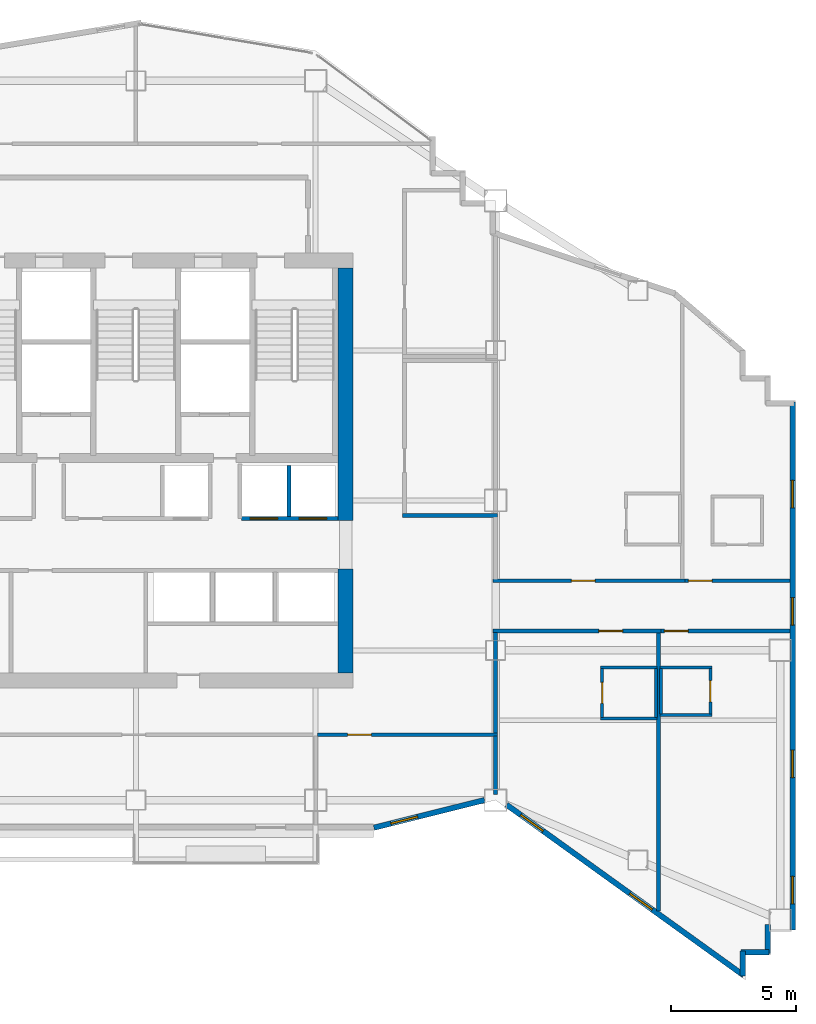
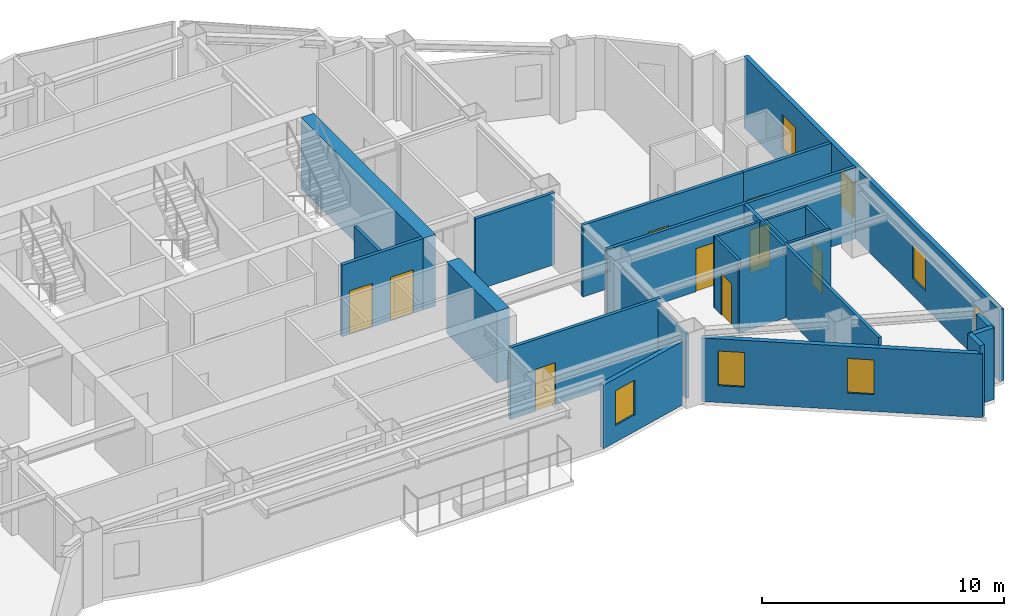
# One storey, part 7 of 10: 27 walls, 9 doors, 7 windows, 16 openings.
"""IFC4 building model written with IfcOpenShell, lengths in metres."""

from ifc_helpers import new_model, si_unit, direction, frame, frame_2d, origin, place, context, subcontext, project, spatial, rectangle, extrude, material, layer, layer_set, type_object, element, fill, save


model = new_model("IFC4")

# Units and contexts
model_context = context("Model", 3, precision=1e-05, world=origin(), true_north=direction((0.0, 1.0)))
body_context = subcontext(model_context, "Body", "Model", "MODEL_VIEW")
ifc_project = project(units=[si_unit("LENGTHUNIT", "METRE"), si_unit("AREAUNIT", "SQUARE_METRE"), si_unit("VOLUMEUNIT", "CUBIC_METRE"), si_unit("PLANEANGLEUNIT", "RADIAN"), si_unit("MASSUNIT", "GRAM", prefix="KILO")], contexts=[model_context])

# Site, building, storey
site_placement = place(None, origin())
site = spatial("IfcSite", under=ifc_project, at=site_placement, CompositionType="ELEMENT")
building_placement = place(site_placement, origin())
building = spatial("IfcBuilding", under=site, at=building_placement, Name="Haolan Belvedere Tower", CompositionType="ELEMENT")
storey_placement = place(building_placement, frame((0.0, 0.0, 176.60009765625)))
storey = spatial("IfcBuildingStorey", under=building, at=storey_placement, Name="L44", CompositionType="ELEMENT", Elevation=176.60009765625)

# Walls
ifc_material_1 = material(Name="Concrete C60/75", Category="concrete")
ifc_layer_1 = layer(ifc_material_1, 0.60009765625, Name="Concrete C60/75")
ifc_layer_set_1 = layer_set([ifc_layer_1], Name="Concrete C60/75")
wall_type_1 = type_object("IfcWallType", Name="WL-CORE-600", PredefinedType="SHEAR", material=ifc_layer_set_1)
wall_1_placement = place(storey_placement, frame((46.800048828125, 26.699951171875, 0.0), z_axis=(0.0, 0.0, 1.0), x_axis=(0.0, 1.0, 0.0)))
element("IfcWall", 1, at=wall_1_placement, inside=storey, type_object=wall_type_1, Name="L44 central core shear wall ES", PredefinedType="SHEAR", context=body_context, shape_type="SweptSolid", body=[
    extrude(rectangle(XDim=4.150146484375, YDim=0.60009765625, at=frame_2d((2.0751953125, 0.0))), origin(), (0.0, 0.0, 1.0), 3.619873046875),
])
wall_2_placement = place(storey_placement, frame((46.800048828125, 32.800048828125, 0.0), z_axis=(0.0, 0.0, 1.0), x_axis=(0.0, 1.0, 0.0)))
element("IfcWall", 2, at=wall_2_placement, inside=storey, type_object=wall_type_1, Name="L44 central core shear wall EN", PredefinedType="SHEAR", context=body_context, shape_type="SweptSolid", body=[
    extrude(rectangle(XDim=10.099853515625, YDim=0.60009765625, at=frame_2d((5.0498046875, 0.0))), origin(), (0.0, 0.0, 1.0), 3.619873046875),
])

# Wall, opening, window
ifc_material_2 = material(Name="Precast concrete C40/50", Category="concrete")
ifc_layer_2 = layer(ifc_material_2, 0.219970703125, Name="Precast concrete C40/50")
ifc_layer_set_2 = layer_set([ifc_layer_2], Name="Precast concrete C40/50")
wall_type_2 = type_object("IfcWallType", Name="WL-EXT-220", PredefinedType="SOLIDWALL", material=ifc_layer_set_2)
wall_3_placement = place(storey_placement, frame((47.93310546875, 20.49658203125, 0.0), z_axis=(0.0, 0.0, 1.0), x_axis=(0.970142500145, 0.242535625036, 0.0)))
wall_3 = element("IfcWall", 3, at=wall_3_placement, inside=storey, type_object=wall_type_2, Name="L44 pale-metal exterior spandrel wall 2.1", PredefinedType="SOLIDWALL", context=body_context, shape_type="SweptSolid", body=[
    extrude(rectangle(XDim=4.56103515625, YDim=0.219970703125, at=frame_2d((2.280517578125, 0.0))), origin(), (0.0, 0.0, 1.0), 3.21484375),
])
opening_1_placement = place(wall_3_placement, frame((0.699951171875, 0.0, 0.85009765625)))
opening_1 = element("IfcOpeningElement", 4, at=opening_1_placement, cuts=wall_3, Name="Opening W-03", PredefinedType="OPENING", context=body_context, shape_type="SweptSolid", body=[
    extrude(rectangle(XDim=1.10009765625, YDim=1.75, at=frame_2d((0.550048828125, 0.875))), frame((0.0, 0.119873046875, 0.0), z_axis=(0.0, -1.0, 0.0), x_axis=(1.0, 0.0, 0.0)), (0.0, 0.0, 1.0), 0.239990234375),
])
ifc_material_3 = material(Name="Anodised aluminium 6063-T6 and Low-E glass", Category="aluminium")
window_type = type_object("IfcWindowType", Name="WN-DECO-Z3", PartitioningType="SINGLE_PANEL", PredefinedType="WINDOW", material=ifc_material_3)
window_1_placement = place(opening_1_placement, origin())
window_1 = element("IfcWindow", 5, at=window_1_placement, inside=storey, type_object=window_type, Name="L44 Art Deco chevron window 1", OverallHeight=1.75, OverallWidth=1.10009765625, PartitioningType="SINGLE_PANEL", PredefinedType="WINDOW", context=body_context, shape_type="SweptSolid", body=[
    extrude(rectangle(XDim=1.10009765625, YDim=1.75, at=frame_2d((0.550048828125, 0.875))), frame((0.0, 0.030029296875, 0.0), z_axis=(0.0, -1.0, 0.0), x_axis=(1.0, 0.0, 0.0)), (0.0, 0.0, 1.0), 0.06005859375),
])
fill(opening_1, window_1)

# Wall, openings, windows
wall_4_placement = place(storey_placement, frame((53.241943359375, 21.417236328125, 0.0), z_axis=(0.0, 0.0, 1.0), x_axis=(0.811534737332, -0.58430417601, 0.0)))
wall_4 = element("IfcWall", 6, at=wall_4_placement, inside=storey, type_object=wall_type_2, Name="L44 pale-metal exterior spandrel wall 3.1", PredefinedType="SOLIDWALL", context=body_context, shape_type="SweptSolid", body=[
    extrude(rectangle(XDim=11.697265625, YDim=0.219970703125, at=frame_2d((5.8486328125, 0.0))), origin(), (0.0, 0.0, 1.0), 3.21484375),
])
opening_2_placement = place(wall_4_placement, frame((0.699951171875, 0.0, 0.85009765625)))
opening_2 = element("IfcOpeningElement", 7, at=opening_2_placement, cuts=wall_4, Name="Opening W-03", PredefinedType="OPENING", context=body_context, shape_type="SweptSolid", body=[
    extrude(rectangle(XDim=1.10009765625, YDim=1.75, at=frame_2d((0.550048828125, 0.875))), frame((0.0, 0.119873046875, 0.0), z_axis=(0.0, -1.0, 0.0), x_axis=(1.0, 0.0, 0.0)), (0.0, 0.0, 1.0), 0.239990234375),
])
opening_3_placement = place(wall_4_placement, frame((6.0810546875, 0.0, 0.85009765625)))
opening_3 = element("IfcOpeningElement", 8, at=opening_3_placement, cuts=wall_4, Name="Opening W-03", PredefinedType="OPENING", context=body_context, shape_type="SweptSolid", body=[
    extrude(rectangle(XDim=1.10009765625, YDim=1.75, at=frame_2d((0.550048828125, 0.875))), frame((0.0, 0.119873046875, 0.0), z_axis=(0.0, -1.0, 0.0), x_axis=(1.0, 0.0, 0.0)), (0.0, 0.0, 1.0), 0.239990234375),
])
window_2_placement = place(opening_2_placement, origin())
window_2 = element("IfcWindow", 9, at=window_2_placement, inside=storey, type_object=window_type, Name="L44 Art Deco chevron window 1", OverallHeight=1.75, OverallWidth=1.10009765625, PartitioningType="SINGLE_PANEL", PredefinedType="WINDOW", context=body_context, shape_type="SweptSolid", body=[
    extrude(rectangle(XDim=1.10009765625, YDim=1.75, at=frame_2d((0.550048828125, 0.875))), frame((0.0, 0.030029296875, 0.0), z_axis=(0.0, -1.0, 0.0), x_axis=(1.0, 0.0, 0.0)), (0.0, 0.0, 1.0), 0.06005859375),
])
fill(opening_2, window_2)
window_3_placement = place(opening_3_placement, origin())
window_3 = element("IfcWindow", 10, at=window_3_placement, inside=storey, type_object=window_type, Name="L44 Art Deco chevron window 2", OverallHeight=1.75, OverallWidth=1.10009765625, PartitioningType="SINGLE_PANEL", PredefinedType="WINDOW", context=body_context, shape_type="SweptSolid", body=[
    extrude(rectangle(XDim=1.10009765625, YDim=1.75, at=frame_2d((0.550048828125, 0.875))), frame((0.0, 0.030029296875, 0.0), z_axis=(0.0, -1.0, 0.0), x_axis=(1.0, 0.0, 0.0)), (0.0, 0.0, 1.0), 0.06005859375),
])
fill(opening_3, window_3)

# Walls
wall_5_placement = place(storey_placement, frame((62.68994140625, 14.559814453125, 0.0), z_axis=(0.0, 0.0, 1.0), x_axis=(0.0, 1.0, 0.0)))
element("IfcWall", 11, at=wall_5_placement, inside=storey, type_object=wall_type_2, Name="L44 pale-metal exterior spandrel wall 4.1", PredefinedType="SOLIDWALL", context=body_context, shape_type="SweptSolid", body=[
    extrude(rectangle(XDim=1.005126953125, YDim=0.219970703125, at=frame_2d((0.50244140625, 0.0))), origin(), (0.0, 0.0, 1.0), 3.619873046875),
])
wall_6_placement = place(storey_placement, frame((62.635009765625, 15.510009765625, 0.0), z_axis=(0.0, 0.0, 1.0), x_axis=(1.0, 0.0, 0.0)))
element("IfcWall", 12, at=wall_6_placement, inside=storey, type_object=wall_type_2, Name="L44 pale-metal exterior spandrel wall 5.1", PredefinedType="SOLIDWALL", context=body_context, shape_type="SweptSolid", body=[
    extrude(rectangle(XDim=1.110107421875, YDim=0.219970703125, at=frame_2d((0.55517578125, 0.0))), origin(), (0.0, 0.0, 1.0), 3.619873046875),
])
wall_7_placement = place(storey_placement, frame((63.68994140625, 15.455078125, 0.0), z_axis=(0.0, 0.0, 1.0), x_axis=(0.0, 1.0, 0.0)))
element("IfcWall", 13, at=wall_7_placement, inside=storey, type_object=wall_type_2, Name="L44 pale-metal exterior spandrel wall 6.1", PredefinedType="SOLIDWALL", context=body_context, shape_type="SweptSolid", body=[
    extrude(rectangle(XDim=1.1650390625, YDim=0.219970703125, at=frame_2d((0.58251953125, 0.0))), origin(), (0.0, 0.0, 1.0), 3.619873046875),
])

# Wall, openings, windows
wall_8_placement = place(storey_placement, frame((64.68994140625, 16.39990234375, 0.0), z_axis=(0.0, 0.0, 1.0), x_axis=(0.0, 1.0, 0.0)))
wall_8 = element("IfcWall", 14, at=wall_8_placement, inside=storey, type_object=wall_type_2, Name="L44 pale-metal exterior spandrel wall 8.1", PredefinedType="SOLIDWALL", context=body_context, shape_type="SweptSolid", body=[
    extrude(rectangle(XDim=21.14501953125, YDim=0.219970703125, at=frame_2d((10.572509765625, 0.0))), origin(), (0.0, 0.0, 1.0), 3.619873046875),
])
opening_4_placement = place(wall_8_placement, frame((1.050048828125, 0.0, 0.85009765625)))
opening_4 = element("IfcOpeningElement", 15, at=opening_4_placement, cuts=wall_8, Name="Opening W-03", PredefinedType="OPENING", context=body_context, shape_type="SweptSolid", body=[
    extrude(rectangle(XDim=1.10009765625, YDim=1.75, at=frame_2d((0.550048828125, 0.875))), frame((0.0, 0.119873046875, 0.0), z_axis=(0.0, -1.0, 0.0), x_axis=(1.0, 0.0, 0.0)), (0.0, 0.0, 1.0), 0.239990234375),
])
opening_5_placement = place(wall_8_placement, frame((6.10009765625, 0.0, 0.85009765625)))
opening_5 = element("IfcOpeningElement", 16, at=opening_5_placement, cuts=wall_8, Name="Opening W-03", PredefinedType="OPENING", context=body_context, shape_type="SweptSolid", body=[
    extrude(rectangle(XDim=1.10009765625, YDim=1.75, at=frame_2d((0.550048828125, 0.875))), frame((0.0, 0.119873046875, 0.0), z_axis=(0.0, -1.0, 0.0), x_axis=(1.0, 0.0, 0.0)), (0.0, 0.0, 1.0), 0.239990234375),
])
opening_6_placement = place(wall_8_placement, frame((12.205078125, 0.0, 0.85009765625)))
opening_6 = element("IfcOpeningElement", 17, at=opening_6_placement, cuts=wall_8, Name="Opening W-03", PredefinedType="OPENING", context=body_context, shape_type="SweptSolid", body=[
    extrude(rectangle(XDim=1.10009765625, YDim=1.75, at=frame_2d((0.550048828125, 0.875))), frame((0.0, 0.119873046875, 0.0), z_axis=(0.0, -1.0, 0.0), x_axis=(1.0, 0.0, 0.0)), (0.0, 0.0, 1.0), 0.239990234375),
])
opening_7_placement = place(wall_8_placement, frame((16.89990234375, 0.0, 0.85009765625)))
opening_7 = element("IfcOpeningElement", 18, at=opening_7_placement, cuts=wall_8, Name="Opening W-03", PredefinedType="OPENING", context=body_context, shape_type="SweptSolid", body=[
    extrude(rectangle(XDim=1.10009765625, YDim=1.75, at=frame_2d((0.550048828125, 0.875))), frame((0.0, 0.119873046875, 0.0), z_axis=(0.0, -1.0, 0.0), x_axis=(1.0, 0.0, 0.0)), (0.0, 0.0, 1.0), 0.239990234375),
])
window_4_placement = place(opening_4_placement, origin())
window_4 = element("IfcWindow", 19, at=window_4_placement, inside=storey, type_object=window_type, Name="L44 Art Deco chevron window 1", OverallHeight=1.75, OverallWidth=1.10009765625, PartitioningType="SINGLE_PANEL", PredefinedType="WINDOW", context=body_context, shape_type="SweptSolid", body=[
    extrude(rectangle(XDim=1.10009765625, YDim=1.75, at=frame_2d((0.550048828125, 0.875))), frame((0.0, 0.030029296875, 0.0), z_axis=(0.0, -1.0, 0.0), x_axis=(1.0, 0.0, 0.0)), (0.0, 0.0, 1.0), 0.06005859375),
])
fill(opening_4, window_4)
window_5_placement = place(opening_5_placement, origin())
window_5 = element("IfcWindow", 20, at=window_5_placement, inside=storey, type_object=window_type, Name="L44 Art Deco chevron window 2", OverallHeight=1.75, OverallWidth=1.10009765625, PartitioningType="SINGLE_PANEL", PredefinedType="WINDOW", context=body_context, shape_type="SweptSolid", body=[
    extrude(rectangle(XDim=1.10009765625, YDim=1.75, at=frame_2d((0.550048828125, 0.875))), frame((0.0, 0.030029296875, 0.0), z_axis=(0.0, -1.0, 0.0), x_axis=(1.0, 0.0, 0.0)), (0.0, 0.0, 1.0), 0.06005859375),
])
fill(opening_5, window_5)
window_6_placement = place(opening_6_placement, origin())
window_6 = element("IfcWindow", 21, at=window_6_placement, inside=storey, type_object=window_type, Name="L44 Art Deco chevron window 3", OverallHeight=1.75, OverallWidth=1.10009765625, PartitioningType="SINGLE_PANEL", PredefinedType="WINDOW", context=body_context, shape_type="SweptSolid", body=[
    extrude(rectangle(XDim=1.10009765625, YDim=1.75, at=frame_2d((0.550048828125, 0.875))), frame((0.0, 0.030029296875, 0.0), z_axis=(0.0, -1.0, 0.0), x_axis=(1.0, 0.0, 0.0)), (0.0, 0.0, 1.0), 0.06005859375),
])
fill(opening_6, window_6)
window_7_placement = place(opening_7_placement, origin())
window_7 = element("IfcWindow", 22, at=window_7_placement, inside=storey, type_object=window_type, Name="L44 Art Deco chevron window 4", OverallHeight=1.75, OverallWidth=1.10009765625, PartitioningType="SINGLE_PANEL", PredefinedType="WINDOW", context=body_context, shape_type="SweptSolid", body=[
    extrude(rectangle(XDim=1.10009765625, YDim=1.75, at=frame_2d((0.550048828125, 0.875))), frame((0.0, 0.030029296875, 0.0), z_axis=(0.0, -1.0, 0.0), x_axis=(1.0, 0.0, 0.0)), (0.0, 0.0, 1.0), 0.06005859375),
])
fill(opening_7, window_7)

# Wall
ifc_material_4 = material(Name="Double gypsum acoustic stud partition", Category="masonry")
ifc_layer_3 = layer(ifc_material_4, 0.14990234375, Name="Double gypsum acoustic stud partition")
ifc_layer_set_3 = layer_set([ifc_layer_3], Name="Double gypsum acoustic stud partition")
wall_type_3 = type_object("IfcWallType", Name="WL-PART-150", PredefinedType="PARTITIONING", material=ifc_layer_set_3)
wall_9_placement = place(storey_placement, frame((49.080078125, 33.0, 0.0), z_axis=(0.0, 0.0, 1.0), x_axis=(1.0, 0.0, 0.0)))
element("IfcWall", 23, at=wall_9_placement, inside=storey, type_object=wall_type_3, Name="L44 interior partition IW-L44-HSK-S", PredefinedType="PARTITIONING", context=body_context, shape_type="SweptSolid", body=[
    extrude(rectangle(XDim=3.7998046875, YDim=0.14990234375, at=frame_2d((1.89990234375, 0.0))), origin(), (0.0, 0.0, 1.0), 3.619873046875),
])

# Wall, opening, door
wall_10_placement = place(storey_placement, frame((45.681884765625, 24.219970703125, 0.0), z_axis=(0.0, 0.0, 1.0), x_axis=(1.0, 0.0, 0.0)))
wall_10 = element("IfcWall", 24, at=wall_10_placement, inside=storey, type_object=wall_type_3, Name="L44 interior partition IW-L44-KS3-N", PredefinedType="PARTITIONING", context=body_context, shape_type="SweptSolid", body=[
    extrude(rectangle(XDim=7.197998046875, YDim=0.14990234375, at=frame_2d((3.59912109375, 0.0))), origin(), (0.0, 0.0, 1.0), 3.619873046875),
])
opening_8_placement = place(wall_10_placement, frame((2.14306640625, 0.0, 0.0), z_axis=(0.0, 0.0, 1.0), x_axis=(-1.0, 0.0, 0.0)))
opening_8 = element("IfcOpeningElement", 25, at=opening_8_placement, cuts=wall_10, Name="Opening ID-03", PredefinedType="OPENING", context=body_context, shape_type="SweptSolid", body=[
    extrude(rectangle(XDim=0.949951171875, YDim=2.1201171875, at=frame_2d((0.47509765625, 1.06005859375))), frame((0.0, 0.0849609375, 0.0), z_axis=(0.0, -1.0, 0.0), x_axis=(1.0, 0.0, 0.0)), (0.0, 0.0, 1.0), 0.169921875),
])
ifc_material_5 = material(Name="Painted solid-core timber", Category="wood")
door_type_1 = type_object("IfcDoorType", Name="DR-INT-950", OperationType="NOTDEFINED", PredefinedType="DOOR", material=ifc_material_5)
door_1_placement = place(opening_8_placement, origin())
door_1 = element("IfcDoor", 26, at=door_1_placement, inside=storey, type_object=door_type_1, Name="L44 door ID-L44-KS3", OperationType="SINGLE_SWING_RIGHT", OverallHeight=2.1201171875, OverallWidth=0.949951171875, PredefinedType="DOOR", context=body_context, shape_type="SweptSolid", body=[
    extrude(rectangle(XDim=0.949951171875, YDim=2.1201171875, at=frame_2d((0.47509765625, 1.06005859375))), frame((0.0, 0.02490234375, 0.0), z_axis=(0.0, -1.0, 0.0), x_axis=(1.0, 0.0, 0.0)), (0.0, 0.0, 1.0), 0.050048828125),
])
fill(opening_8, door_1)

# Wall
wall_11_placement = place(storey_placement, frame((52.800048828125, 21.818603515625, 0.0), z_axis=(0.0, 0.0, 1.0), x_axis=(0.0, 1.0, 0.0)))
element("IfcWall", 27, at=wall_11_placement, inside=storey, type_object=wall_type_3, Name="L44 interior partition IW-L44-KS3-E", PredefinedType="PARTITIONING", context=body_context, shape_type="SweptSolid", body=[
    extrude(rectangle(XDim=2.34130859375, YDim=0.14990234375, at=frame_2d((1.170654296875, 0.0))), origin(), (0.0, 0.0, 1.0), 3.21484375),
])

# Wall, opening, door
wall_12_placement = place(storey_placement, frame((52.699951171875, 30.3798828125, 0.0), z_axis=(0.0, 0.0, 1.0), x_axis=(1.0, 0.0, 0.0)))
wall_12 = element("IfcWall", 28, at=wall_12_placement, inside=storey, type_object=wall_type_3, Name="L44 interior partition IW-L44-T4N1-S", PredefinedType="PARTITIONING", context=body_context, shape_type="SweptSolid", body=[
    extrude(rectangle(XDim=7.679931640625, YDim=0.14990234375, at=frame_2d((3.83984375, 0.0))), origin(), (0.0, 0.0, 1.0), 3.619873046875),
])
opening_9_placement = place(wall_12_placement, frame((3.137451171875, 0.0, 0.0)))
opening_9 = element("IfcOpeningElement", 29, at=opening_9_placement, cuts=wall_12, Name="Opening ID-01", PredefinedType="OPENING", context=body_context, shape_type="SweptSolid", body=[
    extrude(rectangle(XDim=0.949951171875, YDim=2.179931640625, at=frame_2d((0.47509765625, 1.08984375))), frame((0.0, 0.0849609375, 0.0), z_axis=(0.0, -1.0, 0.0), x_axis=(1.0, 0.0, 0.0)), (0.0, 0.0, 1.0), 0.169921875),
])
ifc_material_6 = material(Name="Acoustic walnut veneer fire-rated timber", Category="wood")
door_type_2 = type_object("IfcDoorType", Name="DR-SUITE-950", OperationType="NOTDEFINED", PredefinedType="DOOR", material=ifc_material_6)
door_2_placement = place(opening_9_placement, origin())
door_2 = element("IfcDoor", 30, at=door_2_placement, inside=storey, type_object=door_type_2, Name="L44 door ID-L44-T4N1-ENT", OperationType="SINGLE_SWING_LEFT", OverallHeight=2.179931640625, OverallWidth=0.949951171875, PredefinedType="DOOR", context=body_context, shape_type="SweptSolid", body=[
    extrude(rectangle(XDim=0.949951171875, YDim=2.179931640625, at=frame_2d((0.47509765625, 1.08984375))), frame((0.0, 0.02490234375, 0.0), z_axis=(0.0, -1.0, 0.0), x_axis=(1.0, 0.0, 0.0)), (0.0, 0.0, 1.0), 0.050048828125),
])
fill(opening_9, door_2)

wall_13_placement = place(storey_placement, frame((60.382080078125, 30.3798828125, 0.0), z_axis=(0.0, 0.0, 1.0), x_axis=(1.0, 0.0, 0.0)))
wall_13 = element("IfcWall", 31, at=wall_13_placement, inside=storey, type_object=wall_type_3, Name="L44 interior partition IW-L44-T4N2-S", PredefinedType="PARTITIONING", context=body_context, shape_type="SweptSolid", body=[
    extrude(rectangle(XDim=4.205810546875, YDim=0.14990234375, at=frame_2d((2.10302734375, 0.0))), origin(), (0.0, 0.0, 1.0), 3.619873046875),
])
opening_10_placement = place(wall_13_placement, frame((0.139892578125, 0.0, 0.0)))
opening_10 = element("IfcOpeningElement", 32, at=opening_10_placement, cuts=wall_13, Name="Opening ID-02", PredefinedType="OPENING", context=body_context, shape_type="SweptSolid", body=[
    extrude(rectangle(XDim=0.949951171875, YDim=2.14990234375, at=frame_2d((0.47509765625, 1.074951171875))), frame((0.0, 0.0849609375, 0.0), z_axis=(0.0, -1.0, 0.0), x_axis=(1.0, 0.0, 0.0)), (0.0, 0.0, 1.0), 0.169921875),
])
ifc_material_7 = material(Name="Acoustic oak veneer fire-rated timber", Category="wood")
door_type_3 = type_object("IfcDoorType", Name="DR-GUEST-950", OperationType="NOTDEFINED", PredefinedType="DOOR", material=ifc_material_7)
door_3_placement = place(opening_10_placement, origin())
door_3 = element("IfcDoor", 33, at=door_3_placement, inside=storey, type_object=door_type_3, Name="L44 door ID-L44-T4N2-ENT", OperationType="SINGLE_SWING_RIGHT", OverallHeight=2.14990234375, OverallWidth=0.949951171875, PredefinedType="DOOR", context=body_context, shape_type="SweptSolid", body=[
    extrude(rectangle(XDim=0.949951171875, YDim=2.14990234375, at=frame_2d((0.47509765625, 1.074951171875))), frame((0.0, 0.02490234375, 0.0), z_axis=(0.0, -1.0, 0.0), x_axis=(1.0, 0.0, 0.0)), (0.0, 0.0, 1.0), 0.050048828125),
])
fill(opening_10, door_3)

wall_14_placement = place(storey_placement, frame((52.699951171875, 28.3701171875, 0.0), z_axis=(0.0, 0.0, 1.0), x_axis=(1.0, 0.0, 0.0)))
wall_14 = element("IfcWall", 34, at=wall_14_placement, inside=storey, type_object=wall_type_3, Name="L44 interior partition IW-L44-T4S1-N", PredefinedType="PARTITIONING", context=body_context, shape_type="SweptSolid", body=[
    extrude(rectangle(XDim=6.719970703125, YDim=0.14990234375, at=frame_2d((3.35986328125, 0.0))), origin(), (0.0, 0.0, 1.0), 3.619873046875),
])
opening_11_placement = place(wall_14_placement, frame((5.1875, 0.0, 0.0), z_axis=(0.0, 0.0, 1.0), x_axis=(-1.0, 0.0, 0.0)))
opening_11 = element("IfcOpeningElement", 35, at=opening_11_placement, cuts=wall_14, Name="Opening ID-01", PredefinedType="OPENING", context=body_context, shape_type="SweptSolid", body=[
    extrude(rectangle(XDim=0.949951171875, YDim=2.179931640625, at=frame_2d((0.47509765625, 1.08984375))), frame((0.0, 0.0849609375, 0.0), z_axis=(0.0, -1.0, 0.0), x_axis=(1.0, 0.0, 0.0)), (0.0, 0.0, 1.0), 0.169921875),
])
door_4_placement = place(opening_11_placement, origin())
door_4 = element("IfcDoor", 36, at=door_4_placement, inside=storey, type_object=door_type_2, Name="L44 door ID-L44-T4S1-ENT", OperationType="SINGLE_SWING_LEFT", OverallHeight=2.179931640625, OverallWidth=0.949951171875, PredefinedType="DOOR", context=body_context, shape_type="SweptSolid", body=[
    extrude(rectangle(XDim=0.949951171875, YDim=2.179931640625, at=frame_2d((0.47509765625, 1.08984375))), frame((0.0, 0.02490234375, 0.0), z_axis=(0.0, -1.0, 0.0), x_axis=(1.0, 0.0, 0.0)), (0.0, 0.0, 1.0), 0.050048828125),
])
fill(opening_11, door_4)

# Walls
wall_15_placement = place(storey_placement, frame((52.800048828125, 24.280029296875, 0.0), z_axis=(0.0, 0.0, 1.0), x_axis=(0.0, 1.0, 0.0)))
element("IfcWall", 37, at=wall_15_placement, inside=storey, type_object=wall_type_3, Name="L44 interior partition IW-L44-T4S1-W", PredefinedType="PARTITIONING", context=body_context, shape_type="SweptSolid", body=[
    extrude(rectangle(XDim=4.030029296875, YDim=0.14990234375, at=frame_2d((2.01513671875, 0.0))), origin(), (0.0, 0.0, 1.0), 3.21484375),
])
wall_16_placement = place(storey_placement, frame((59.320068359375, 17.166748046875, 0.0), z_axis=(0.0, 0.0, 1.0), x_axis=(0.0, 1.0, 0.0)))
element("IfcWall", 38, at=wall_16_placement, inside=storey, type_object=wall_type_3, Name="L44 interior partition IW-L44-T4S1-E", PredefinedType="PARTITIONING", context=body_context, shape_type="SweptSolid", body=[
    extrude(rectangle(XDim=11.143310546875, YDim=0.14990234375, at=frame_2d((5.57177734375, 0.0))), origin(), (0.0, 0.0, 1.0), 3.619873046875),
])

# Wall, opening, door
wall_17_placement = place(storey_placement, frame((59.422119140625, 28.3701171875, 0.0), z_axis=(0.0, 0.0, 1.0), x_axis=(1.0, 0.0, 0.0)))
wall_17 = element("IfcWall", 39, at=wall_17_placement, inside=storey, type_object=wall_type_3, Name="L44 interior partition IW-L44-T4S2-N", PredefinedType="PARTITIONING", context=body_context, shape_type="SweptSolid", body=[
    extrude(rectangle(XDim=5.165771484375, YDim=0.14990234375, at=frame_2d((2.5830078125, 0.0))), origin(), (0.0, 0.0, 1.0), 3.619873046875),
])
opening_12_placement = place(wall_17_placement, frame((1.08984375, 0.0, 0.0), z_axis=(0.0, 0.0, 1.0), x_axis=(-1.0, 0.0, 0.0)))
opening_12 = element("IfcOpeningElement", 40, at=opening_12_placement, cuts=wall_17, Name="Opening ID-01", PredefinedType="OPENING", context=body_context, shape_type="SweptSolid", body=[
    extrude(rectangle(XDim=0.949951171875, YDim=2.179931640625, at=frame_2d((0.47509765625, 1.08984375))), frame((0.0, 0.0849609375, 0.0), z_axis=(0.0, -1.0, 0.0), x_axis=(1.0, 0.0, 0.0)), (0.0, 0.0, 1.0), 0.169921875),
])
door_5_placement = place(opening_12_placement, origin())
door_5 = element("IfcDoor", 41, at=door_5_placement, inside=storey, type_object=door_type_2, Name="L44 door ID-L44-T4S2-ENT", OperationType="SINGLE_SWING_RIGHT", OverallHeight=2.179931640625, OverallWidth=0.949951171875, PredefinedType="DOOR", context=body_context, shape_type="SweptSolid", body=[
    extrude(rectangle(XDim=0.949951171875, YDim=2.179931640625, at=frame_2d((0.47509765625, 1.08984375))), frame((0.0, 0.02490234375, 0.0), z_axis=(0.0, -1.0, 0.0), x_axis=(1.0, 0.0, 0.0)), (0.0, 0.0, 1.0), 0.050048828125),
])
fill(opening_12, door_5)

# Wall, openings, doors
ifc_material_8 = material(Name="Gypsum fire shaftwall assembly", Category="masonry")
ifc_layer_4 = layer(ifc_material_8, 0.1650390625, Name="Gypsum fire shaftwall assembly")
ifc_layer_set_4 = layer_set([ifc_layer_4], Name="Gypsum fire shaftwall assembly")
wall_type_4 = type_object("IfcWallType", Name="WL-SHAFT-160", PredefinedType="SOLIDWALL", material=ifc_layer_set_4)
wall_18_placement = place(storey_placement, frame((42.6298828125, 32.8798828125, 0.0), z_axis=(0.0, 0.0, 1.0), x_axis=(1.0, 0.0, 0.0)))
wall_18 = element("IfcWall", 42, at=wall_18_placement, inside=storey, type_object=wall_type_4, Name="L44 interior partition IW-L44-ROW-PN3", PredefinedType="SOLIDWALL", context=body_context, shape_type="SweptSolid", body=[
    extrude(rectangle(XDim=3.8701171875, YDim=0.159912109375, at=frame_2d((1.93505859375, 0.0))), origin(), (0.0, 0.0, 1.0), 3.619873046875),
])
opening_13_placement = place(wall_18_placement, frame((1.4501953125, 0.0, 0.0), z_axis=(0.0, 0.0, 1.0), x_axis=(-1.0, 0.0, 0.0)))
opening_13 = element("IfcOpeningElement", 43, at=opening_13_placement, cuts=wall_18, Name="Opening LD-01", PredefinedType="OPENING", context=body_context, shape_type="SweptSolid", body=[
    extrude(rectangle(XDim=1.10009765625, YDim=2.199951171875, at=frame_2d((0.550048828125, 1.10009765625))), frame((0.0, 0.08984375, 0.0), z_axis=(0.0, -1.0, 0.0), x_axis=(1.0, 0.0, 0.0)), (0.0, 0.0, 1.0), 0.179931640625),
])
opening_14_placement = place(wall_18_placement, frame((3.41015625, 0.0, 0.0), z_axis=(0.0, 0.0, 1.0), x_axis=(-1.0, 0.0, 0.0)))
opening_14 = element("IfcOpeningElement", 44, at=opening_14_placement, cuts=wall_18, Name="Opening LD-01", PredefinedType="OPENING", context=body_context, shape_type="SweptSolid", body=[
    extrude(rectangle(XDim=1.10009765625, YDim=2.199951171875, at=frame_2d((0.550048828125, 1.10009765625))), frame((0.0, 0.08984375, 0.0), z_axis=(0.0, -1.0, 0.0), x_axis=(1.0, 0.0, 0.0)), (0.0, 0.0, 1.0), 0.179931640625),
])
ifc_material_9 = material(Name="Brushed champagne stainless steel 316L", Category="steel")
door_type_4 = type_object("IfcDoorType", Name="DR-LIFT-1100", OperationType="SLIDING_TO_LEFT", PredefinedType="DOOR", material=ifc_material_9)
door_6_placement = place(opening_13_placement, origin())
door_6 = element("IfcDoor", 45, at=door_6_placement, inside=storey, type_object=door_type_4, Name="L44 door ID-L44-LD-PH2", OperationType="SLIDING_TO_RIGHT", OverallHeight=2.199951171875, OverallWidth=1.10009765625, PredefinedType="DOOR", context=body_context, shape_type="SweptSolid", body=[
    extrude(rectangle(XDim=1.10009765625, YDim=2.199951171875, at=frame_2d((0.550048828125, 1.10009765625))), frame((0.0, 0.02490234375, 0.0), z_axis=(0.0, -1.0, 0.0), x_axis=(1.0, 0.0, 0.0)), (0.0, 0.0, 1.0), 0.050048828125),
])
fill(opening_13, door_6)
door_7_placement = place(opening_14_placement, origin())
door_7 = element("IfcDoor", 46, at=door_7_placement, inside=storey, type_object=door_type_4, Name="L44 door ID-L44-LD-PH3", OperationType="SLIDING_TO_RIGHT", OverallHeight=2.199951171875, OverallWidth=1.10009765625, PredefinedType="DOOR", context=body_context, shape_type="SweptSolid", body=[
    extrude(rectangle(XDim=1.10009765625, YDim=2.199951171875, at=frame_2d((0.550048828125, 1.10009765625))), frame((0.0, 0.02490234375, 0.0), z_axis=(0.0, -1.0, 0.0), x_axis=(1.0, 0.0, 0.0)), (0.0, 0.0, 1.0), 0.050048828125),
])
fill(opening_14, door_7)

# Walls
wall_19_placement = place(storey_placement, frame((44.530029296875, 32.949951171875, 0.0), z_axis=(0.0, 0.0, 1.0), x_axis=(0.0, 1.0, 0.0)))
element("IfcWall", 47, at=wall_19_placement, inside=storey, type_object=wall_type_4, Name="L44 interior partition IW-L44-DIV-PH2", PredefinedType="SOLIDWALL", context=body_context, shape_type="SweptSolid", body=[
    extrude(rectangle(XDim=2.050048828125, YDim=0.14990234375, at=frame_2d((1.02490234375, 0.0))), origin(), (0.0, 0.0, 1.0), 3.619873046875),
])
ifc_material_10 = material(Name="Moisture-resistant gypsum tile partition", Category="masonry")
ifc_layer_5 = layer(ifc_material_10, 0.1201171875, Name="Moisture-resistant gypsum tile partition")
ifc_layer_set_5 = layer_set([ifc_layer_5], Name="Moisture-resistant gypsum tile partition")
wall_type_5 = type_object("IfcWallType", Name="WL-WET-120", PredefinedType="PARTITIONING", material=ifc_layer_set_5)
wall_20_placement = place(storey_placement, frame((57.010009765625, 26.919921875, 0.0), z_axis=(0.0, 0.0, 1.0), x_axis=(1.0, 0.0, 0.0)))
element("IfcWall", 48, at=wall_20_placement, inside=storey, type_object=wall_type_5, Name="L44 interior partition IW-L44-T4S1-BN", PredefinedType="PARTITIONING", context=body_context, shape_type="SweptSolid", body=[
    extrude(rectangle(XDim=2.25, YDim=0.1201171875, at=frame_2d((1.125, 0.0))), origin(), (0.0, 0.0, 1.0), 3.619873046875),
])
wall_21_placement = place(storey_placement, frame((57.010009765625, 24.8701171875, 0.0), z_axis=(0.0, 0.0, 1.0), x_axis=(1.0, 0.0, 0.0)))
element("IfcWall", 49, at=wall_21_placement, inside=storey, type_object=wall_type_5, Name="L44 interior partition IW-L44-T4S1-BS", PredefinedType="PARTITIONING", context=body_context, shape_type="SweptSolid", body=[
    extrude(rectangle(XDim=2.25, YDim=0.1201171875, at=frame_2d((1.125, 0.0))), origin(), (0.0, 0.0, 1.0), 3.2548828125),
])

# Wall, opening, door
wall_22_placement = place(storey_placement, frame((57.070068359375, 24.9150390625, 0.0), z_axis=(0.0, 0.0, 1.0), x_axis=(0.0, 1.0, 0.0)))
wall_22 = element("IfcWall", 50, at=wall_22_placement, inside=storey, type_object=wall_type_5, Name="L44 interior partition IW-L44-T4S1-BW", PredefinedType="PARTITIONING", context=body_context, shape_type="SweptSolid", body=[
    extrude(rectangle(XDim=1.9599609375, YDim=0.1201171875, at=frame_2d((0.97998046875, 0.0))), origin(), (0.0, 0.0, 1.0), 3.619873046875),
])
opening_15_placement = place(wall_22_placement, frame((1.405029296875, 0.0, 0.0), z_axis=(0.0, 0.0, 1.0), x_axis=(-1.0, 0.0, 0.0)))
opening_15 = element("IfcOpeningElement", 51, at=opening_15_placement, cuts=wall_22, Name="Opening ID-05", PredefinedType="OPENING", context=body_context, shape_type="SweptSolid", body=[
    extrude(rectangle(XDim=0.85009765625, YDim=2.10009765625, at=frame_2d((0.425048828125, 1.050048828125))), frame((0.0, 0.070068359375, 0.0), z_axis=(0.0, -1.0, 0.0), x_axis=(1.0, 0.0, 0.0)), (0.0, 0.0, 1.0), 0.14013671875),
])
ifc_material_11 = material(Name="Moisture-resistant lacquered timber", Category="wood")
door_type_5 = type_object("IfcDoorType", Name="DR-BATH-850", OperationType="NOTDEFINED", PredefinedType="DOOR", material=ifc_material_11)
door_8_placement = place(opening_15_placement, origin())
door_8 = element("IfcDoor", 52, at=door_8_placement, inside=storey, type_object=door_type_5, Name="L44 door ID-L44-T4S1-BATH", OperationType="SINGLE_SWING_RIGHT", OverallHeight=2.10009765625, OverallWidth=0.85009765625, PredefinedType="DOOR", context=body_context, shape_type="SweptSolid", body=[
    extrude(rectangle(XDim=0.85009765625, YDim=2.10009765625, at=frame_2d((0.425048828125, 1.050048828125))), frame((0.0, 0.02490234375, 0.0), z_axis=(0.0, -1.0, 0.0), x_axis=(1.0, 0.0, 0.0)), (0.0, 0.0, 1.0), 0.050048828125),
])
fill(opening_15, door_8)

# Walls
wall_23_placement = place(storey_placement, frame((59.219970703125, 24.9150390625, 0.0), z_axis=(0.0, 0.0, 1.0), x_axis=(0.0, 1.0, 0.0)))
element("IfcWall", 53, at=wall_23_placement, inside=storey, type_object=wall_type_5, Name="L44 interior partition IW-L44-T4S1-BE", PredefinedType="PARTITIONING", context=body_context, shape_type="SweptSolid", body=[
    extrude(rectangle(XDim=1.9599609375, YDim=0.1201171875, at=frame_2d((0.97998046875, 0.0))), origin(), (0.0, 0.0, 1.0), 3.619873046875),
])
for number, where, z_axis, x_axis, name in (
    (54, (59.3798828125, 26.919921875, 0.0), (0.0, 0.0, 1.0), (1.0, 0.0, 0.0), "L44 interior partition IW-L44-T4S2-BN"),
    (55, (59.3798828125, 25.0, 0.0), (0.0, 0.0, 1.0), (1.0, 0.0, 0.0), "L44 interior partition IW-L44-T4S2-BS"),
):
    element("IfcWall", number, at=place(storey_placement, frame(where, z_axis=z_axis, x_axis=x_axis)), inside=storey, type_object=wall_type_5, Name=name, PredefinedType="PARTITIONING", context=body_context, shape_type="SweptSolid", body=[
        extrude(rectangle(XDim=2.080078125, YDim=0.1201171875, at=frame_2d((1.0400390625, 0.0))), origin(), (0.0, 0.0, 1.0), 3.619873046875),
    ])
wall_24_placement = place(storey_placement, frame((59.419921875, 25.044921875, 0.0), z_axis=(0.0, 0.0, 1.0), x_axis=(0.0, 1.0, 0.0)))
element("IfcWall", 56, at=wall_24_placement, inside=storey, type_object=wall_type_5, Name="L44 interior partition IW-L44-T4S2-BW", PredefinedType="PARTITIONING", context=body_context, shape_type="SweptSolid", body=[
    extrude(rectangle(XDim=1.830078125, YDim=0.1201171875, at=frame_2d((0.9150390625, 0.0))), origin(), (0.0, 0.0, 1.0), 3.619873046875),
])

# Wall, opening, door
wall_25_placement = place(storey_placement, frame((61.39990234375, 25.044921875, 0.0), z_axis=(0.0, 0.0, 1.0), x_axis=(0.0, 1.0, 0.0)))
wall_25 = element("IfcWall", 57, at=wall_25_placement, inside=storey, type_object=wall_type_5, Name="L44 interior partition IW-L44-T4S2-BE", PredefinedType="PARTITIONING", context=body_context, shape_type="SweptSolid", body=[
    extrude(rectangle(XDim=1.830078125, YDim=0.1201171875, at=frame_2d((0.9150390625, 0.0))), origin(), (0.0, 0.0, 1.0), 3.619873046875),
])
opening_16_placement = place(wall_25_placement, frame((0.489990234375, 0.0, 0.0)))
opening_16 = element("IfcOpeningElement", 58, at=opening_16_placement, cuts=wall_25, Name="Opening ID-05", PredefinedType="OPENING", context=body_context, shape_type="SweptSolid", body=[
    extrude(rectangle(XDim=0.85009765625, YDim=2.10009765625, at=frame_2d((0.425048828125, 1.050048828125))), frame((0.0, 0.070068359375, 0.0), z_axis=(0.0, -1.0, 0.0), x_axis=(1.0, 0.0, 0.0)), (0.0, 0.0, 1.0), 0.14013671875),
])
door_9_placement = place(opening_16_placement, origin())
door_9 = element("IfcDoor", 59, at=door_9_placement, inside=storey, type_object=door_type_5, Name="L44 door ID-L44-T4S2-BATH", OperationType="SINGLE_SWING_LEFT", OverallHeight=2.10009765625, OverallWidth=0.85009765625, PredefinedType="DOOR", context=body_context, shape_type="SweptSolid", body=[
    extrude(rectangle(XDim=0.85009765625, YDim=2.10009765625, at=frame_2d((0.425048828125, 1.050048828125))), frame((0.0, 0.02490234375, 0.0), z_axis=(0.0, -1.0, 0.0), x_axis=(1.0, 0.0, 0.0)), (0.0, 0.0, 1.0), 0.050048828125),
])
fill(opening_16, door_9)

save(model, "model.ifc")
